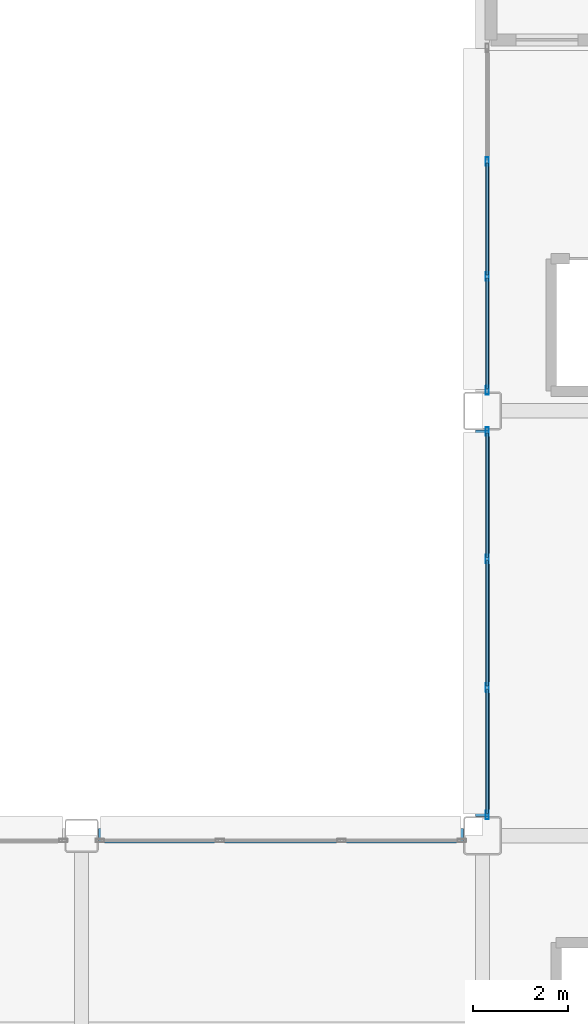
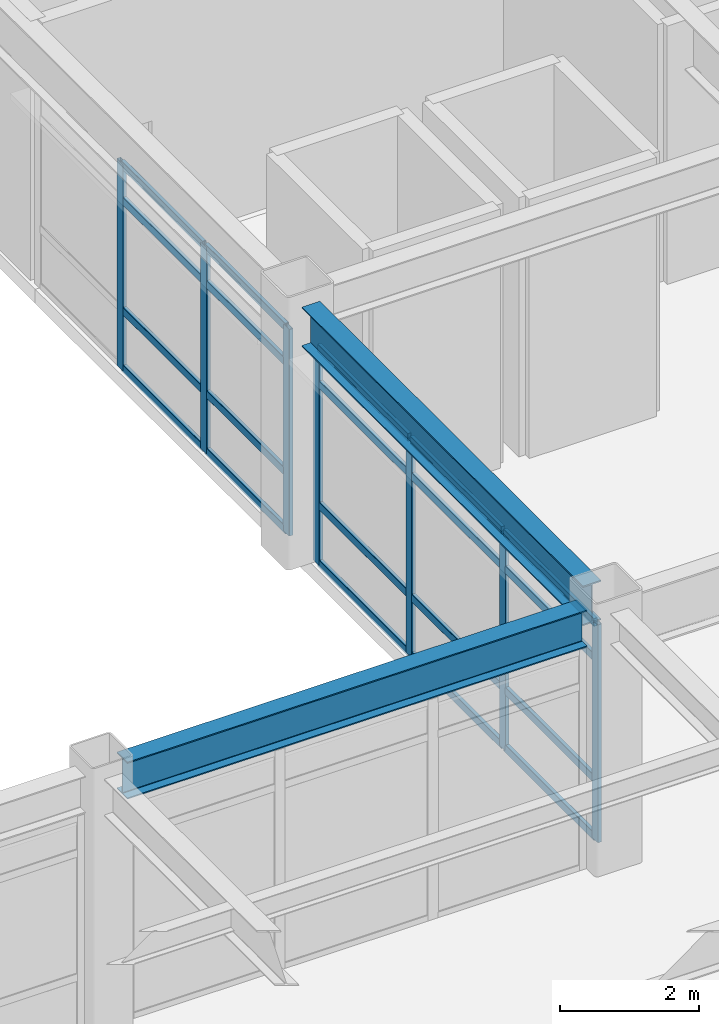
# One storey, part 90 of 154: 27 members, 2 beams, 2 elements without a shape of their own.
"""IFC4 building model written with IfcOpenShell, lengths in metres."""

from ifc_helpers import new_model, si_unit, direction, frame, origin, origin_2d, place, context, subcontext, project, spatial, hollow_rectangle, i_section, extrude, material, layer, layer_set, material_profile, profile_set, type_object, element, aggregate, save


model = new_model("IFC4")

# Units and contexts
model_context = context("Model", 3, precision=1e-05, world=origin(), true_north=direction((0.0, 1.0)))
body_context = subcontext(model_context, "Body", "Model", "MODEL_VIEW")
ifc_project = project(units=[si_unit("LENGTHUNIT", "METRE"), si_unit("AREAUNIT", "SQUARE_METRE"), si_unit("VOLUMEUNIT", "CUBIC_METRE"), si_unit("PLANEANGLEUNIT", "RADIAN"), si_unit("MASSUNIT", "GRAM", prefix="KILO")], contexts=[model_context])

# Site, building, storey
site_placement = place(None, origin())
site = spatial("IfcSite", under=ifc_project, at=site_placement, CompositionType="ELEMENT")
building_placement = place(site_placement, origin())
building = spatial("IfcBuilding", under=site, at=building_placement, Name="Kazehara Bluff Congress Hotel", CompositionType="ELEMENT")
storey_placement = place(building_placement, frame((0.0, 0.0, 10.199951171875)))
storey = spatial("IfcBuildingStorey", under=building, at=storey_placement, Name="L02", CompositionType="ELEMENT", Elevation=10.199951171875)

# Curtain wall, members
ifc_material_1 = material(Name="Anodised aluminium", Category="aluminium")
ifc_layer_1 = layer(ifc_material_1, 0.159912109375)
ifc_layer_set_1 = layer_set([ifc_layer_1], Name="Anodised aluminium")
curtain_wall_type_1 = type_object("IfcCurtainWallType", Name="TP-CW-121", PredefinedType="NOTDEFINED", material=ifc_layer_set_1)
curtain_wall_1_placement = place(storey_placement, origin())
curtain_wall_1 = element("IfcCurtainWall", 1, at=curtain_wall_1_placement, inside=storey, type_object=curtain_wall_type_1, Name="L02 curtain wall CW-121 CW-ENC-V5-L02-14380-3645", PredefinedType="NOTDEFINED")
ifc_material_2 = material(Name="Anodised aluminium", Category="aluminium")
ifc_material_profile_1 = material_profile(ifc_material_2, hollow_rectangle(XDim=0.06494140625, YDim=0.179931640625, WallThickness=0.00390625, InnerFilletRadius=0.00390625, OuterFilletRadius=0.008056640625, at=origin_2d()))
ifc_profile_set_1 = profile_set([ifc_material_profile_1], Name="Anodised aluminium")
member_type_1 = type_object("IfcMemberType", Name="TP-CWM-02", PredefinedType="MULLION", material=ifc_profile_set_1)
member_1_placement = place(storey_placement, frame((143.800048828125, 32.4326171875, 0.0), z_axis=(0.0, 0.0, 1.0), x_axis=(-1.0, 0.0, 0.0)))
member_1 = element("IfcMember", 2, at=member_1_placement, type_object=member_type_1, Name="CW-121 mullion 1", PredefinedType="MULLION", context=body_context, shape_type="SweptSolid", body=[
    extrude(hollow_rectangle(XDim=0.06494140625, YDim=0.179931640625, WallThickness=0.00390625, InnerFilletRadius=0.00390625, OuterFilletRadius=0.008056640625, at=origin_2d()), origin(), (0.0, 0.0, 1.0), 3.8349609375),
])
member_2_placement = place(storey_placement, frame((143.800048828125, 35.10009765625, 0.0), z_axis=(0.0, 0.0, 1.0), x_axis=(-1.0, 0.0, 0.0)))
member_2 = element("IfcMember", 3, at=member_2_placement, type_object=member_type_1, Name="CW-121 mullion 2", PredefinedType="MULLION", context=body_context, shape_type="SweptSolid", body=[
    extrude(hollow_rectangle(XDim=0.06494140625, YDim=0.179931640625, WallThickness=0.00390625, InnerFilletRadius=0.00390625, OuterFilletRadius=0.008056640625, at=origin_2d()), origin(), (0.0, 0.0, 1.0), 3.8349609375),
])
member_3_placement = place(storey_placement, frame((143.800048828125, 37.800048828125, 0.0), z_axis=(0.0, 0.0, 1.0), x_axis=(-1.0, 0.0, 0.0)))
member_3 = element("IfcMember", 4, at=member_3_placement, type_object=member_type_1, Name="CW-121 mullion 3", PredefinedType="MULLION", context=body_context, shape_type="SweptSolid", body=[
    extrude(hollow_rectangle(XDim=0.06494140625, YDim=0.179931640625, WallThickness=0.00390625, InnerFilletRadius=0.00390625, OuterFilletRadius=0.008056640625, at=origin_2d()), origin(), (0.0, 0.0, 1.0), 3.8349609375),
])
member_4_placement = place(storey_placement, frame((143.800048828125, 40.467529296875, 0.0), z_axis=(0.0, 0.0, 1.0), x_axis=(-1.0, 0.0, 0.0)))
member_4 = element("IfcMember", 5, at=member_4_placement, type_object=member_type_1, Name="CW-121 mullion 4", PredefinedType="MULLION", context=body_context, shape_type="SweptSolid", body=[
    extrude(hollow_rectangle(XDim=0.06494140625, YDim=0.179931640625, WallThickness=0.00390625, InnerFilletRadius=0.00390625, OuterFilletRadius=0.008056640625, at=origin_2d()), origin(), (0.0, 0.0, 1.0), 3.8349609375),
])

ifc_material_3 = material(Name="Anodised aluminium", Category="aluminium")
ifc_layer_2 = layer(ifc_material_3, 0.159912109375)
ifc_layer_set_2 = layer_set([ifc_layer_2], Name="Anodised aluminium")
curtain_wall_type_2 = type_object("IfcCurtainWallType", Name="TP-CW-141", PredefinedType="NOTDEFINED", material=ifc_layer_set_2)
curtain_wall_2_placement = place(storey_placement, origin())
curtain_wall_2 = element("IfcCurtainWall", 6, at=curtain_wall_2_placement, inside=storey, type_object=curtain_wall_type_2, Name="L02 curtain wall CW-141 CW-ENC-V5-L02-14380-4492", PredefinedType="NOTDEFINED")
member_5_placement = place(storey_placement, frame((143.800048828125, 41.33251953125, 0.0), z_axis=(0.0, 0.0, 1.0), x_axis=(-1.0, 0.0, 0.0)))
member_5 = element("IfcMember", 7, at=member_5_placement, type_object=member_type_1, Name="CW-141 mullion 1", PredefinedType="MULLION", context=body_context, shape_type="SweptSolid", body=[
    extrude(hollow_rectangle(XDim=0.06494140625, YDim=0.179931640625, WallThickness=0.00390625, InnerFilletRadius=0.00390625, OuterFilletRadius=0.008056640625, at=origin_2d()), origin(), (0.0, 0.0, 1.0), 3.635009765625),
])
member_6_placement = place(storey_placement, frame((143.800048828125, 43.71337890625, 0.0), z_axis=(0.0, 0.0, 1.0), x_axis=(-1.0, 0.0, 0.0)))
member_6 = element("IfcMember", 8, at=member_6_placement, type_object=member_type_1, Name="CW-141 mullion 2", PredefinedType="MULLION", context=body_context, shape_type="SweptSolid", body=[
    extrude(hollow_rectangle(XDim=0.06494140625, YDim=0.179931640625, WallThickness=0.00390625, InnerFilletRadius=0.00390625, OuterFilletRadius=0.008056640625, at=origin_2d()), origin(), (0.0, 0.0, 1.0), 3.635009765625),
])
member_7_placement = place(storey_placement, frame((143.800048828125, 46.126708984375, 0.0), z_axis=(0.0, 0.0, 1.0), x_axis=(-1.0, 0.0, 0.0)))
member_7 = element("IfcMember", 9, at=member_7_placement, type_object=member_type_1, Name="CW-141 mullion 3", PredefinedType="MULLION", context=body_context, shape_type="SweptSolid", body=[
    extrude(hollow_rectangle(XDim=0.06494140625, YDim=0.179931640625, WallThickness=0.00390625, InnerFilletRadius=0.00390625, OuterFilletRadius=0.008056640625, at=origin_2d()), origin(), (0.0, 0.0, 1.0), 3.635009765625),
])

# Member
ifc_material_4 = material(Name="Anodised aluminium", Category="aluminium")
ifc_material_profile_2 = material_profile(ifc_material_4, hollow_rectangle(XDim=0.06494140625, YDim=0.139892578125, WallThickness=0.00390625, InnerFilletRadius=0.00390625, OuterFilletRadius=0.008056640625, at=origin_2d()))
ifc_profile_set_2 = profile_set([ifc_material_profile_2], Name="Anodised aluminium")
member_type_2 = type_object("IfcMemberType", Name="TP-CWT-02", PredefinedType="USERDEFINED", material=ifc_profile_set_2)
member_8_placement = place(storey_placement, frame((143.800048828125, 32.465087890625, 0.032470703125), z_axis=(0.0, 1.0, 0.0), x_axis=(-1.0, 0.0, 0.0)))
member_8 = element("IfcMember", 10, at=member_8_placement, type_object=member_type_2, Name="CW-121 transom 1.1", ObjectType="TRANSOM", PredefinedType="USERDEFINED", context=body_context, shape_type="SweptSolid", body=[
    extrude(hollow_rectangle(XDim=0.06494140625, YDim=0.139892578125, WallThickness=0.00390625, InnerFilletRadius=0.00390625, OuterFilletRadius=0.008056640625, at=origin_2d()), origin(), (0.0, 0.0, 1.0), 2.602294921875),
])

member_9_placement = place(storey_placement, frame((143.800048828125, 32.465087890625, 1.050048828125), z_axis=(0.0, 1.0, 0.0), x_axis=(-1.0, 0.0, 0.0)))
member_9 = element("IfcMember", 11, at=member_9_placement, type_object=member_type_2, Name="CW-121 transom 1.2", ObjectType="TRANSOM", PredefinedType="USERDEFINED", context=body_context, shape_type="SweptSolid", body=[
    extrude(hollow_rectangle(XDim=0.06494140625, YDim=0.139892578125, WallThickness=0.00390625, InnerFilletRadius=0.00390625, OuterFilletRadius=0.008056640625, at=origin_2d()), origin(), (0.0, 0.0, 1.0), 2.602294921875),
])

member_10_placement = place(storey_placement, frame((143.800048828125, 32.465087890625, 3.18505859375), z_axis=(0.0, 1.0, 0.0), x_axis=(-1.0, 0.0, 0.0)))
member_10 = element("IfcMember", 12, at=member_10_placement, type_object=member_type_2, Name="CW-121 transom 1.3", ObjectType="TRANSOM", PredefinedType="USERDEFINED", context=body_context, shape_type="SweptSolid", body=[
    extrude(hollow_rectangle(XDim=0.06494140625, YDim=0.139892578125, WallThickness=0.00390625, InnerFilletRadius=0.00390625, OuterFilletRadius=0.008056640625, at=origin_2d()), origin(), (0.0, 0.0, 1.0), 2.602294921875),
])

member_11_placement = place(storey_placement, frame((143.800048828125, 32.465087890625, 3.802490234375), z_axis=(0.0, 1.0, 0.0), x_axis=(-1.0, 0.0, 0.0)))
member_11 = element("IfcMember", 13, at=member_11_placement, type_object=member_type_2, Name="CW-121 transom 1.4", ObjectType="TRANSOM", PredefinedType="USERDEFINED", context=body_context, shape_type="SweptSolid", body=[
    extrude(hollow_rectangle(XDim=0.06494140625, YDim=0.139892578125, WallThickness=0.00390625, InnerFilletRadius=0.00390625, OuterFilletRadius=0.008056640625, at=origin_2d()), origin(), (0.0, 0.0, 1.0), 2.602294921875),
])

member_12_placement = place(storey_placement, frame((143.800048828125, 35.132568359375, 0.032470703125), z_axis=(0.0, 1.0, 0.0), x_axis=(-1.0, 0.0, 0.0)))
member_12 = element("IfcMember", 14, at=member_12_placement, type_object=member_type_2, Name="CW-121 transom 2.1", ObjectType="TRANSOM", PredefinedType="USERDEFINED", context=body_context, shape_type="SweptSolid", body=[
    extrude(hollow_rectangle(XDim=0.06494140625, YDim=0.139892578125, WallThickness=0.00390625, InnerFilletRadius=0.00390625, OuterFilletRadius=0.008056640625, at=origin_2d()), origin(), (0.0, 0.0, 1.0), 2.635009765625),
])

member_13_placement = place(storey_placement, frame((143.800048828125, 35.132568359375, 1.050048828125), z_axis=(0.0, 1.0, 0.0), x_axis=(-1.0, 0.0, 0.0)))
member_13 = element("IfcMember", 15, at=member_13_placement, type_object=member_type_2, Name="CW-121 transom 2.2", ObjectType="TRANSOM", PredefinedType="USERDEFINED", context=body_context, shape_type="SweptSolid", body=[
    extrude(hollow_rectangle(XDim=0.06494140625, YDim=0.139892578125, WallThickness=0.00390625, InnerFilletRadius=0.00390625, OuterFilletRadius=0.008056640625, at=origin_2d()), origin(), (0.0, 0.0, 1.0), 2.635009765625),
])

member_14_placement = place(storey_placement, frame((143.800048828125, 35.132568359375, 3.18505859375), z_axis=(0.0, 1.0, 0.0), x_axis=(-1.0, 0.0, 0.0)))
member_14 = element("IfcMember", 16, at=member_14_placement, type_object=member_type_2, Name="CW-121 transom 2.3", ObjectType="TRANSOM", PredefinedType="USERDEFINED", context=body_context, shape_type="SweptSolid", body=[
    extrude(hollow_rectangle(XDim=0.06494140625, YDim=0.139892578125, WallThickness=0.00390625, InnerFilletRadius=0.00390625, OuterFilletRadius=0.008056640625, at=origin_2d()), origin(), (0.0, 0.0, 1.0), 2.635009765625),
])

member_15_placement = place(storey_placement, frame((143.800048828125, 35.132568359375, 3.802490234375), z_axis=(0.0, 1.0, 0.0), x_axis=(-1.0, 0.0, 0.0)))
member_15 = element("IfcMember", 17, at=member_15_placement, type_object=member_type_2, Name="CW-121 transom 2.4", ObjectType="TRANSOM", PredefinedType="USERDEFINED", context=body_context, shape_type="SweptSolid", body=[
    extrude(hollow_rectangle(XDim=0.06494140625, YDim=0.139892578125, WallThickness=0.00390625, InnerFilletRadius=0.00390625, OuterFilletRadius=0.008056640625, at=origin_2d()), origin(), (0.0, 0.0, 1.0), 2.635009765625),
])

member_16_placement = place(storey_placement, frame((143.800048828125, 37.83251953125, 0.032470703125), z_axis=(0.0, 1.0, 0.0), x_axis=(-1.0, 0.0, 0.0)))
member_16 = element("IfcMember", 18, at=member_16_placement, type_object=member_type_2, Name="CW-121 transom 3.1", ObjectType="TRANSOM", PredefinedType="USERDEFINED", context=body_context, shape_type="SweptSolid", body=[
    extrude(hollow_rectangle(XDim=0.06494140625, YDim=0.139892578125, WallThickness=0.00390625, InnerFilletRadius=0.00390625, OuterFilletRadius=0.008056640625, at=origin_2d()), origin(), (0.0, 0.0, 1.0), 2.6025390625),
])

member_17_placement = place(storey_placement, frame((143.800048828125, 37.83251953125, 1.050048828125), z_axis=(0.0, 1.0, 0.0), x_axis=(-1.0, 0.0, 0.0)))
member_17 = element("IfcMember", 19, at=member_17_placement, type_object=member_type_2, Name="CW-121 transom 3.2", ObjectType="TRANSOM", PredefinedType="USERDEFINED", context=body_context, shape_type="SweptSolid", body=[
    extrude(hollow_rectangle(XDim=0.06494140625, YDim=0.139892578125, WallThickness=0.00390625, InnerFilletRadius=0.00390625, OuterFilletRadius=0.008056640625, at=origin_2d()), origin(), (0.0, 0.0, 1.0), 2.6025390625),
])

member_18_placement = place(storey_placement, frame((143.800048828125, 37.83251953125, 3.18505859375), z_axis=(0.0, 1.0, 0.0), x_axis=(-1.0, 0.0, 0.0)))
member_18 = element("IfcMember", 20, at=member_18_placement, type_object=member_type_2, Name="CW-121 transom 3.3", ObjectType="TRANSOM", PredefinedType="USERDEFINED", context=body_context, shape_type="SweptSolid", body=[
    extrude(hollow_rectangle(XDim=0.06494140625, YDim=0.139892578125, WallThickness=0.00390625, InnerFilletRadius=0.00390625, OuterFilletRadius=0.008056640625, at=origin_2d()), origin(), (0.0, 0.0, 1.0), 2.6025390625),
])

member_19_placement = place(storey_placement, frame((143.800048828125, 37.83251953125, 3.802490234375), z_axis=(0.0, 1.0, 0.0), x_axis=(-1.0, 0.0, 0.0)))
member_19 = element("IfcMember", 21, at=member_19_placement, type_object=member_type_2, Name="CW-121 transom 3.4", ObjectType="TRANSOM", PredefinedType="USERDEFINED", context=body_context, shape_type="SweptSolid", body=[
    extrude(hollow_rectangle(XDim=0.06494140625, YDim=0.139892578125, WallThickness=0.00390625, InnerFilletRadius=0.00390625, OuterFilletRadius=0.008056640625, at=origin_2d()), origin(), (0.0, 0.0, 1.0), 2.6025390625),
])

aggregate(curtain_wall_1, [member_1, member_2, member_3, member_4, member_8, member_9, member_10, member_11, member_12, member_13, member_14, member_15, member_16, member_17, member_18, member_19])

member_20_placement = place(storey_placement, frame((143.800048828125, 41.364990234375, 0.032470703125), z_axis=(0.0, 1.0, 0.0), x_axis=(-1.0, 0.0, 0.0)))
member_20 = element("IfcMember", 22, at=member_20_placement, type_object=member_type_2, Name="CW-141 transom 1.1", ObjectType="TRANSOM", PredefinedType="USERDEFINED", context=body_context, shape_type="SweptSolid", body=[
    extrude(hollow_rectangle(XDim=0.06494140625, YDim=0.139892578125, WallThickness=0.00390625, InnerFilletRadius=0.00390625, OuterFilletRadius=0.008056640625, at=origin_2d()), origin(), (0.0, 0.0, 1.0), 2.31591796875),
])

member_21_placement = place(storey_placement, frame((143.800048828125, 41.364990234375, 1.050048828125), z_axis=(0.0, 1.0, 0.0), x_axis=(-1.0, 0.0, 0.0)))
member_21 = element("IfcMember", 23, at=member_21_placement, type_object=member_type_2, Name="CW-141 transom 1.2", ObjectType="TRANSOM", PredefinedType="USERDEFINED", context=body_context, shape_type="SweptSolid", body=[
    extrude(hollow_rectangle(XDim=0.06494140625, YDim=0.139892578125, WallThickness=0.00390625, InnerFilletRadius=0.00390625, OuterFilletRadius=0.008056640625, at=origin_2d()), origin(), (0.0, 0.0, 1.0), 2.31591796875),
])

member_22_placement = place(storey_placement, frame((143.800048828125, 41.364990234375, 2.985107421875), z_axis=(0.0, 1.0, 0.0), x_axis=(-1.0, 0.0, 0.0)))
member_22 = element("IfcMember", 24, at=member_22_placement, type_object=member_type_2, Name="CW-141 transom 1.3", ObjectType="TRANSOM", PredefinedType="USERDEFINED", context=body_context, shape_type="SweptSolid", body=[
    extrude(hollow_rectangle(XDim=0.06494140625, YDim=0.139892578125, WallThickness=0.00390625, InnerFilletRadius=0.00390625, OuterFilletRadius=0.008056640625, at=origin_2d()), origin(), (0.0, 0.0, 1.0), 2.31591796875),
])

member_23_placement = place(storey_placement, frame((143.800048828125, 41.364990234375, 3.6025390625), z_axis=(0.0, 1.0, 0.0), x_axis=(-1.0, 0.0, 0.0)))
member_23 = element("IfcMember", 25, at=member_23_placement, type_object=member_type_2, Name="CW-141 transom 1.4", ObjectType="TRANSOM", PredefinedType="USERDEFINED", context=body_context, shape_type="SweptSolid", body=[
    extrude(hollow_rectangle(XDim=0.06494140625, YDim=0.139892578125, WallThickness=0.00390625, InnerFilletRadius=0.00390625, OuterFilletRadius=0.008056640625, at=origin_2d()), origin(), (0.0, 0.0, 1.0), 2.31591796875),
])

member_24_placement = place(storey_placement, frame((143.800048828125, 43.745849609375, 0.032470703125), z_axis=(0.0, 1.0, 0.0), x_axis=(-1.0, 0.0, 0.0)))
member_24 = element("IfcMember", 26, at=member_24_placement, type_object=member_type_2, Name="CW-141 transom 2.1", ObjectType="TRANSOM", PredefinedType="USERDEFINED", context=body_context, shape_type="SweptSolid", body=[
    extrude(hollow_rectangle(XDim=0.06494140625, YDim=0.139892578125, WallThickness=0.00390625, InnerFilletRadius=0.00390625, OuterFilletRadius=0.008056640625, at=origin_2d()), origin(), (0.0, 0.0, 1.0), 2.348388671875),
])

member_25_placement = place(storey_placement, frame((143.800048828125, 43.745849609375, 1.050048828125), z_axis=(0.0, 1.0, 0.0), x_axis=(-1.0, 0.0, 0.0)))
member_25 = element("IfcMember", 27, at=member_25_placement, type_object=member_type_2, Name="CW-141 transom 2.2", ObjectType="TRANSOM", PredefinedType="USERDEFINED", context=body_context, shape_type="SweptSolid", body=[
    extrude(hollow_rectangle(XDim=0.06494140625, YDim=0.139892578125, WallThickness=0.00390625, InnerFilletRadius=0.00390625, OuterFilletRadius=0.008056640625, at=origin_2d()), origin(), (0.0, 0.0, 1.0), 2.348388671875),
])

member_26_placement = place(storey_placement, frame((143.800048828125, 43.745849609375, 2.985107421875), z_axis=(0.0, 1.0, 0.0), x_axis=(-1.0, 0.0, 0.0)))
member_26 = element("IfcMember", 28, at=member_26_placement, type_object=member_type_2, Name="CW-141 transom 2.3", ObjectType="TRANSOM", PredefinedType="USERDEFINED", context=body_context, shape_type="SweptSolid", body=[
    extrude(hollow_rectangle(XDim=0.06494140625, YDim=0.139892578125, WallThickness=0.00390625, InnerFilletRadius=0.00390625, OuterFilletRadius=0.008056640625, at=origin_2d()), origin(), (0.0, 0.0, 1.0), 2.348388671875),
])

member_27_placement = place(storey_placement, frame((143.800048828125, 43.745849609375, 3.6025390625), z_axis=(0.0, 1.0, 0.0), x_axis=(-1.0, 0.0, 0.0)))
member_27 = element("IfcMember", 29, at=member_27_placement, type_object=member_type_2, Name="CW-141 transom 2.4", ObjectType="TRANSOM", PredefinedType="USERDEFINED", context=body_context, shape_type="SweptSolid", body=[
    extrude(hollow_rectangle(XDim=0.06494140625, YDim=0.139892578125, WallThickness=0.00390625, InnerFilletRadius=0.00390625, OuterFilletRadius=0.008056640625, at=origin_2d()), origin(), (0.0, 0.0, 1.0), 2.348388671875),
])

aggregate(curtain_wall_2, [member_5, member_6, member_7, member_20, member_21, member_22, member_23, member_24, member_25, member_26, member_27])

# Beams
ifc_material_5 = material(Name="Steel SN490B", Category="steel")
ifc_material_profile_3 = material_profile(ifc_material_5, i_section(OverallWidth=0.300048828125, OverallDepth=0.64990234375, WebThickness=0.011962890625, FlangeThickness=0.02001953125, FilletRadius=0.012939453125, at=origin_2d()))
ifc_profile_set_3 = profile_set([ifc_material_profile_3], Name="Steel SN490B")
beam_type_1 = type_object("IfcBeamType", Name="TP-G-03", PredefinedType="BEAM", material=ifc_profile_set_3)
beam_1_placement = place(storey_placement, frame((135.64990234375, 32.0, 4.235107421875), z_axis=(1.0, 0.0, 0.0), x_axis=(0.0, 1.0, 0.0)))
element("IfcBeam", 30, at=beam_1_placement, inside=storey, type_object=beam_type_1, Name="L02 girder G-03 202", PredefinedType="BEAM", context=body_context, shape_type="SweptSolid", body=[
    extrude(i_section(OverallWidth=0.300048828125, OverallDepth=0.64990234375, WebThickness=0.011962890625, FlangeThickness=0.02001953125, FilletRadius=0.012939453125, at=origin_2d()), origin(), (0.0, 0.0, 1.0), 7.650146484375),
])
ifc_material_6 = material(Name="Steel SN490B", Category="steel")
ifc_material_profile_4 = material_profile(ifc_material_6, i_section(OverallWidth=0.300048828125, OverallDepth=0.699951171875, WebThickness=0.012939453125, FlangeThickness=0.02392578125, FilletRadius=0.01806640625, at=origin_2d()))
ifc_profile_set_4 = profile_set([ifc_material_profile_4], Name="Steel SN490B")
beam_type_2 = type_object("IfcBeamType", Name="TP-SP-03", PredefinedType="SPANDREL", material=ifc_profile_set_4)
beam_2_placement = place(storey_placement, frame((143.699951171875, 32.39990234375, 4.2099609375), z_axis=(0.0, 1.0, 0.0), x_axis=(-1.0, 0.0, 0.0)))
element("IfcBeam", 31, at=beam_2_placement, inside=storey, type_object=beam_type_2, Name="L02 girder SP-03 142", PredefinedType="SPANDREL", context=body_context, shape_type="SweptSolid", body=[
    extrude(i_section(OverallWidth=0.300048828125, OverallDepth=0.699951171875, WebThickness=0.012939453125, FlangeThickness=0.02392578125, FilletRadius=0.01806640625, at=origin_2d()), origin(), (0.0, 0.0, 1.0), 8.10009765625),
])

save(model, "model.ifc")
